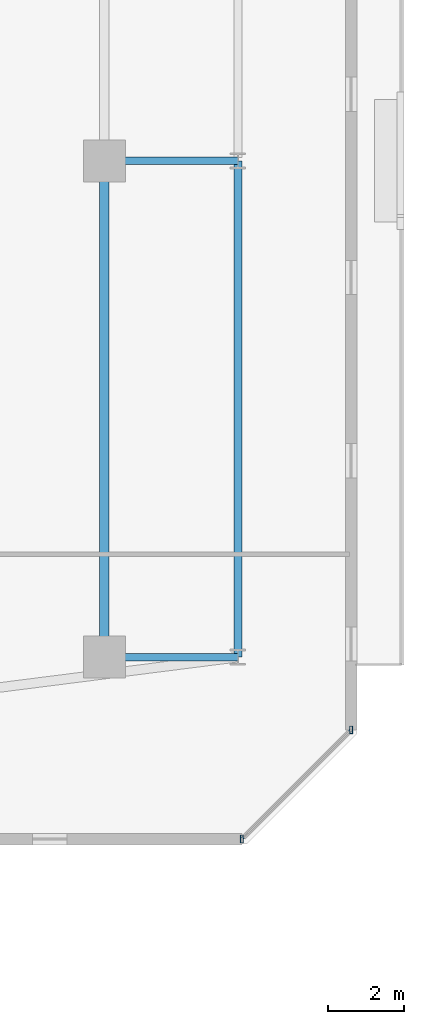
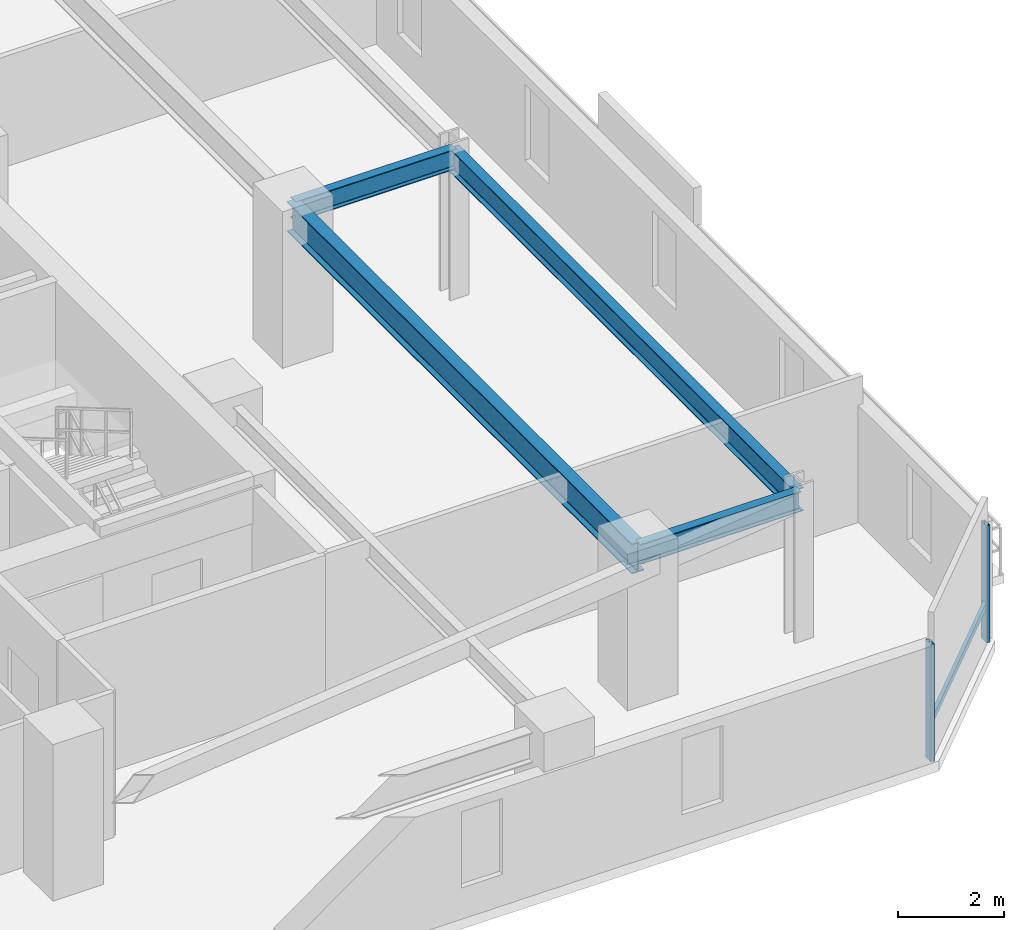
# One storey, part 14 of 33: 4 beams, 3 members, 1 element without a shape of its own.
"""IFC4 building model written with IfcOpenShell, lengths in metres."""

from ifc_helpers import new_model, si_unit, direction, frame, origin, origin_2d, place, context, subcontext, project, spatial, hollow_rectangle, i_section, extrude, material, material_profile, profile_set, type_object, element, aggregate, save


model = new_model("IFC4")

# Units and contexts
model_context = context("Model", 3, precision=1e-05, world=origin(), true_north=direction((0.0, 1.0)))
body_context = subcontext(model_context, "Body", "Model", "MODEL_VIEW")
ifc_project = project(units=[si_unit("LENGTHUNIT", "METRE"), si_unit("AREAUNIT", "SQUARE_METRE"), si_unit("VOLUMEUNIT", "CUBIC_METRE"), si_unit("PLANEANGLEUNIT", "RADIAN"), si_unit("MASSUNIT", "GRAM", prefix="KILO")], contexts=[model_context])

# Site, building, storey
site_placement = place(None, origin())
site = spatial("IfcSite", under=ifc_project, at=site_placement, CompositionType="ELEMENT")
building_placement = place(site_placement, origin())
building = spatial("IfcBuilding", under=site, at=building_placement, Name="Thornwick Lancets Civic Towers", CompositionType="ELEMENT")
storey_placement = place(building_placement, frame((0.0, 0.0, 167.10009765625)))
storey = spatial("IfcBuildingStorey", under=building, at=storey_placement, Name="L44", CompositionType="ELEMENT", Elevation=167.10009765625)

# Beams
ifc_material_1 = material(Name="Steel S355JR", Category="steel")
ifc_material_profile_1 = material_profile(ifc_material_1, i_section(OverallWidth=0.210693359375, OverallDepth=0.53955078125, WebThickness=0.01171875, FlangeThickness=0.018798828125, FilletRadius=0.0126953125, at=origin_2d()), Name="UKB 533x210x109")
ifc_profile_set_1 = profile_set([ifc_material_profile_1], Name="Steel S355JR")
beam_type_1 = type_object("IfcBeamType", Name="BM_EDGE_533_109", PredefinedType="SPANDREL", material=ifc_profile_set_1)
beam_1_placement = place(storey_placement, frame((109.300048828125, 14.0, 3.090087890625), z_axis=(0.0, 1.0, 0.0), x_axis=(-1.0, 0.0, 0.0)))
element("IfcBeam", 1, at=beam_1_placement, inside=storey, type_object=beam_type_1, Name="BM-EDGE-L44-B-S0-1", PredefinedType="SPANDREL", context=body_context, shape_type="SweptSolid", body=[
    extrude(i_section(OverallWidth=0.210693359375, OverallDepth=0.53955078125, WebThickness=0.01171875, FlangeThickness=0.018798828125, FilletRadius=0.0126953125, at=origin_2d()), origin(), (0.0, 0.0, 1.0), 13.0),
])
ifc_material_profile_2 = material_profile(ifc_material_1, i_section(OverallWidth=0.255859375, OverallDepth=0.69287109375, WebThickness=0.014404296875, FlangeThickness=0.023681640625, FilletRadius=0.01513671875, at=origin_2d()), Name="UKB 686x254x170")
ifc_profile_set_2 = profile_set([ifc_material_profile_2], Name="Steel S355JR")
beam_type_2 = type_object("IfcBeamType", Name="BM_GIRD_686_170", PredefinedType="BEAM", material=ifc_profile_set_2)
beam_2_placement = place(storey_placement, frame((105.800048828125, 14.0, 3.013427734375), z_axis=(0.0, 1.0, 0.0), x_axis=(-1.0, 0.0, 0.0)))
element("IfcBeam", 2, at=beam_2_placement, inside=storey, type_object=beam_type_2, Name="BM-SPINE-L44-B-0-1", PredefinedType="BEAM", context=body_context, shape_type="SweptSolid", body=[
    extrude(i_section(OverallWidth=0.255859375, OverallDepth=0.69287109375, WebThickness=0.014404296875, FlangeThickness=0.023681640625, FilletRadius=0.01513671875, at=origin_2d()), origin(), (0.0, 0.0, 1.0), 13.0),
])
ifc_material_profile_3 = material_profile(ifc_material_1, i_section(OverallWidth=0.19189453125, OverallDepth=0.46337890625, WebThickness=0.010498046875, FlangeThickness=0.017578125, FilletRadius=0.01025390625, at=origin_2d()), Name="UKB 457x191x89")
ifc_profile_set_3 = profile_set([ifc_material_profile_3], Name="Steel S355JR")
beam_type_3 = type_object("IfcBeamType", Name="BM_JOIST_457_89", PredefinedType="JOIST", material=ifc_profile_set_3)
for number, where, z_axis, x_axis, name in (
    (3, (105.800048828125, 14.0, 3.128173828125), (1.0, 0.0, 0.0), (0.0, 1.0, 0.0), "BM-RAD-L44-B01"),
    (4, (105.800048828125, 27.0, 3.128173828125), (1.0, 0.0, 0.0), (0.0, 1.0, 0.0), "BM-RAD-L44-B02"),
):
    element("IfcBeam", number, at=place(storey_placement, frame(where, z_axis=z_axis, x_axis=x_axis)), inside=storey, type_object=beam_type_3, Name=name, PredefinedType="JOIST", context=body_context, shape_type="SweptSolid", body=[
        extrude(i_section(OverallWidth=0.19189453125, OverallDepth=0.46337890625, WebThickness=0.010498046875, FlangeThickness=0.017578125, FilletRadius=0.01025390625, at=origin_2d()), origin(), (0.0, 0.0, 1.0), 3.5),
    ])

# Curtain wall, members
ifc_material_2 = material(Name="Mid-zone chamfered-corner unitised glass curtain wall", Category="glass")
curtain_wall_type = type_object("IfcCurtainWallType", Name="CW_SYS_04", PredefinedType="NOTDEFINED", material=ifc_material_2)
curtain_wall_placement = place(storey_placement, origin())
curtain_wall = element("IfcCurtainWall", 5, at=curtain_wall_placement, inside=storey, type_object=curtain_wall_type, Name="L44 Curtain Wall CW-L44-B-E1", PredefinedType="NOTDEFINED")
ifc_material_3 = material(Name="Thermally broken bronze aluminium S355", Category="steel")
ifc_material_profile_4 = material_profile(ifc_material_3, hollow_rectangle(XDim=0.080078125, YDim=0.199951171875, WallThickness=0.006103515625, at=origin_2d()), Name="RHS 200x80x6")
ifc_profile_set_4 = profile_set([ifc_material_profile_4], Name="Thermally broken bronze aluminium S355")
member_type_1 = type_object("IfcMemberType", Name="CW_MUL_200", PredefinedType="MULLION", material=ifc_profile_set_4)
member_1_placement = place(storey_placement, frame((109.405517578125, 9.236328125, 0.0), z_axis=(0.0, 0.0, 1.0), x_axis=(1.0, 0.0, 0.0)))
member_1 = element("IfcMember", 6, at=member_1_placement, type_object=member_type_1, Name="CW-L44-B-E1 Mullion 0", PredefinedType="MULLION", context=body_context, shape_type="SweptSolid", body=[
    extrude(hollow_rectangle(XDim=0.080078125, YDim=0.199951171875, WallThickness=0.006103515625, at=origin_2d()), origin(), (0.0, 0.0, 1.0), 2.699951171875),
])
member_2_placement = place(storey_placement, frame((112.263671875, 12.094482421875, 0.0), z_axis=(0.0, 0.0, 1.0), x_axis=(1.0, 0.0, 0.0)))
member_2 = element("IfcMember", 7, at=member_2_placement, type_object=member_type_1, Name="CW-L44-B-E1 Mullion 1", PredefinedType="MULLION", context=body_context, shape_type="SweptSolid", body=[
    extrude(hollow_rectangle(XDim=0.080078125, YDim=0.199951171875, WallThickness=0.006103515625, at=origin_2d()), origin(), (0.0, 0.0, 1.0), 2.699951171875),
])
ifc_material_profile_5 = material_profile(ifc_material_3, hollow_rectangle(XDim=0.074951171875, YDim=0.14990234375, WallThickness=0.0048828125, at=origin_2d()), Name="RHS 150x75x5")
ifc_profile_set_5 = profile_set([ifc_material_profile_5], Name="Thermally broken bronze aluminium S355")
member_type_2 = type_object("IfcMemberType", Name="CW_TRN_150", PredefinedType="USERDEFINED", material=ifc_profile_set_5)
member_3_placement = place(storey_placement, frame((109.41943359375, 9.25048828125, 0.849853515625), z_axis=(0.707106781187, 0.707106781187, 0.0), x_axis=(-0.707106781187, 0.707106781187, 0.0)))
member_3 = element("IfcMember", 8, at=member_3_placement, type_object=member_type_2, Name="CW-L44-B-E1 Transom 0", ObjectType="TRANSOM", PredefinedType="USERDEFINED", context=body_context, shape_type="SweptSolid", body=[
    extrude(hollow_rectangle(XDim=0.074951171875, YDim=0.14990234375, WallThickness=0.0048828125, at=origin_2d()), origin(), (0.0, 0.0, 1.0), 4.00244140625),
])
aggregate(curtain_wall, [member_1, member_2, member_3])

save(model, "model.ifc")
